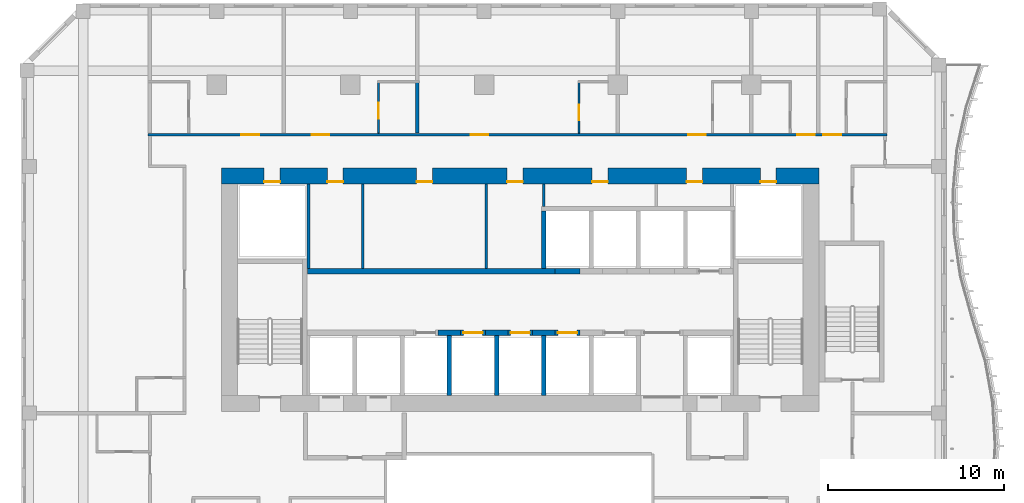
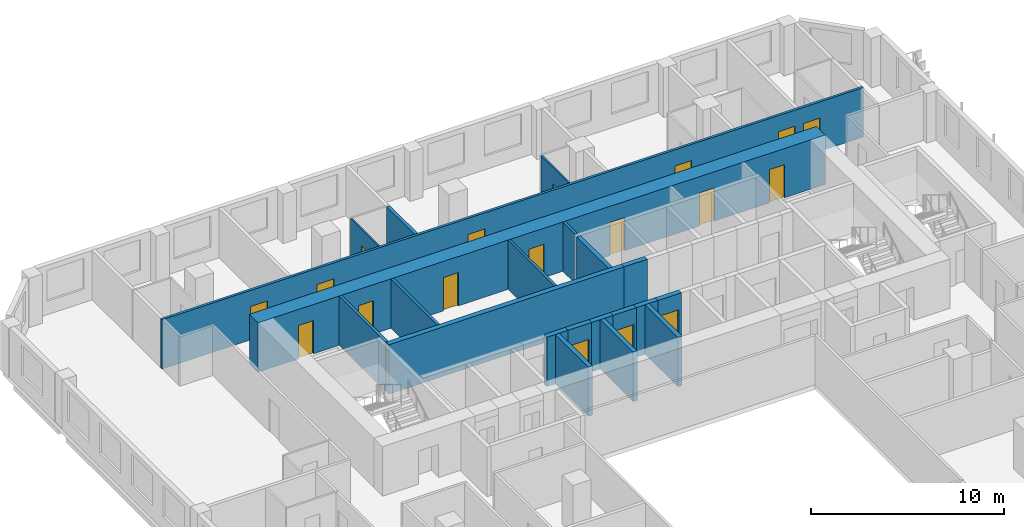
# One storey, part 7 of 22: 21 walls, 18 doors, 18 openings.
"""IFC4 building model written with IfcOpenShell, lengths in metres."""

from ifc_helpers import new_model, si_unit, direction, frame, frame_2d, origin, place, context, subcontext, project, spatial, rectangle, extrude, source, transform, mapped, material, layer, layer_set, type_object, element, fill, save


model = new_model("IFC4")

# Units and contexts
model_context = context("Model", 3, precision=1e-05, world=origin(), true_north=direction((0.0, 1.0)))
body_context = subcontext(model_context, "Body", "Model", "MODEL_VIEW")
ifc_project = project(units=[si_unit("LENGTHUNIT", "METRE"), si_unit("AREAUNIT", "SQUARE_METRE"), si_unit("VOLUMEUNIT", "CUBIC_METRE"), si_unit("PLANEANGLEUNIT", "RADIAN"), si_unit("MASSUNIT", "GRAM", prefix="KILO")], contexts=[model_context])

# Site, building, storey
site_placement = place(None, origin())
site = spatial("IfcSite", under=ifc_project, at=site_placement, CompositionType="ELEMENT")
building_placement = place(site_placement, origin())
building = spatial("IfcBuilding", under=site, at=building_placement, Name="Kilnfold Tower and Market Hall", CompositionType="ELEMENT")
storey_placement = place(building_placement, frame((0.0, 0.0, 154.10009765625)))
storey = spatial("IfcBuildingStorey", under=building, at=storey_placement, Name="L35", CompositionType="ELEMENT", Elevation=154.10009765625)

# Wall, openings, doors
ifc_material_1 = material(Name="Gypsum board on steel studs", Category="steel")
ifc_layer_1 = layer(ifc_material_1, 0.14990234375)
ifc_layer_set_1 = layer_set([ifc_layer_1], Name="Gypsum board on steel studs")
wall_type_1 = type_object("IfcWallType", Name="WALL CORRIDOR 150", PredefinedType="PARTITIONING", material=ifc_layer_set_1)
wall_1_placement = place(storey_placement, frame((-20.05908203125, 23.800048828125, 0.0), z_axis=(0.0, 0.0, 1.0), x_axis=(1.0, 0.0, 0.0)))
wall_1 = element("IfcWall", 1, at=wall_1_placement, inside=storey, type_object=wall_type_1, Name="Partition LY23.21", PredefinedType="PARTITIONING", context=body_context, shape_type="SweptSolid", body=[
    extrude(rectangle(XDim=41.9091796875, YDim=0.14990234375, at=frame_2d((20.95458984375, 0.0))), origin(), (0.0, 0.0, 1.0), 3.119873046875),
])
opening_1_placement = place(wall_1_placement, frame((5.29296875, 0.0, 0.0)))
opening_1 = element("IfcOpeningElement", 2, at=opening_1_placement, cuts=wall_1, Name="Opening D1", PredefinedType="OPENING", context=body_context, shape_type="SweptSolid", body=[
    extrude(rectangle(XDim=1.0, YDim=2.10009765625, at=frame_2d((0.5, 1.050048828125))), frame((0.0, 0.0849609375, 0.0), z_axis=(0.0, -1.0, 0.0), x_axis=(1.0, 0.0, 0.0)), (0.0, 0.0, 1.0), 0.169921875),
])
opening_2_placement = place(wall_1_placement, frame((9.27490234375, 0.0, 0.0)))
opening_2 = element("IfcOpeningElement", 3, at=opening_2_placement, cuts=wall_1, Name="Opening D1", PredefinedType="OPENING", context=body_context, shape_type="SweptSolid", body=[
    extrude(rectangle(XDim=1.0, YDim=2.10009765625, at=frame_2d((0.5, 1.050048828125))), frame((0.0, 0.0849609375, 0.0), z_axis=(0.0, -1.0, 0.0), x_axis=(1.0, 0.0, 0.0)), (0.0, 0.0, 1.0), 0.169921875),
])
opening_3_placement = place(wall_1_placement, frame((18.2919921875, 0.0, 0.0)))
opening_3 = element("IfcOpeningElement", 4, at=opening_3_placement, cuts=wall_1, Name="Opening D1", PredefinedType="OPENING", context=body_context, shape_type="SweptSolid", body=[
    extrude(rectangle(XDim=1.0, YDim=2.10009765625, at=frame_2d((0.5, 1.050048828125))), frame((0.0, 0.0849609375, 0.0), z_axis=(0.0, -1.0, 0.0), x_axis=(1.0, 0.0, 0.0)), (0.0, 0.0, 1.0), 0.169921875),
])
opening_4_placement = place(wall_1_placement, frame((30.635986328125, 0.0, 0.0)))
opening_4 = element("IfcOpeningElement", 5, at=opening_4_placement, cuts=wall_1, Name="Opening D1", PredefinedType="OPENING", context=body_context, shape_type="SweptSolid", body=[
    extrude(rectangle(XDim=1.0, YDim=2.10009765625, at=frame_2d((0.5, 1.050048828125))), frame((0.0, 0.0849609375, 0.0), z_axis=(0.0, -1.0, 0.0), x_axis=(1.0, 0.0, 0.0)), (0.0, 0.0, 1.0), 0.169921875),
])
opening_5_placement = place(wall_1_placement, frame((36.827880859375, 0.0, 0.0)))
opening_5 = element("IfcOpeningElement", 6, at=opening_5_placement, cuts=wall_1, Name="Opening D1", PredefinedType="OPENING", context=body_context, shape_type="SweptSolid", body=[
    extrude(rectangle(XDim=1.0, YDim=2.10009765625, at=frame_2d((0.5, 1.050048828125))), frame((0.0, 0.0849609375, 0.0), z_axis=(0.0, -1.0, 0.0), x_axis=(1.0, 0.0, 0.0)), (0.0, 0.0, 1.0), 0.169921875),
])
opening_6_placement = place(wall_1_placement, frame((38.31396484375, 0.0, 0.0)))
opening_6 = element("IfcOpeningElement", 7, at=opening_6_placement, cuts=wall_1, Name="Opening D1", PredefinedType="OPENING", context=body_context, shape_type="SweptSolid", body=[
    extrude(rectangle(XDim=1.0, YDim=2.10009765625, at=frame_2d((0.5, 1.050048828125))), frame((0.0, 0.0849609375, 0.0), z_axis=(0.0, -1.0, 0.0), x_axis=(1.0, 0.0, 0.0)), (0.0, 0.0, 1.0), 0.169921875),
])
ifc_material_2 = material(Name="Timber veneer door leaf in steel frame", Category="steel")
door_type_1 = type_object("IfcDoorType", Name="DOOR ENTRY 1000 X2100", OperationType="NOTDEFINED", PredefinedType="DOOR", material=ifc_material_2)
door_1_placement = place(opening_1_placement, origin())
door_1 = element("IfcDoor", 8, at=door_1_placement, inside=storey, type_object=door_type_1, Name="Door D1", OperationType="SINGLE_SWING_LEFT", OverallHeight=2.10009765625, OverallWidth=1.0, PredefinedType="DOOR", context=body_context, shape_type="SweptSolid", body=[
    extrude(rectangle(XDim=1.0, YDim=2.10009765625, at=frame_2d((0.5, 1.050048828125))), frame((0.0, 0.02490234375, 0.0), z_axis=(0.0, -1.0, 0.0), x_axis=(1.0, 0.0, 0.0)), (0.0, 0.0, 1.0), 0.050048828125),
])
fill(opening_1, door_1)
door_2_placement = place(opening_2_placement, origin())
door_2 = element("IfcDoor", 9, at=door_2_placement, inside=storey, type_object=door_type_1, Name="Door D1", OperationType="SINGLE_SWING_LEFT", OverallHeight=2.10009765625, OverallWidth=1.0, PredefinedType="DOOR", context=body_context, shape_type="SweptSolid", body=[
    extrude(rectangle(XDim=1.0, YDim=2.10009765625, at=frame_2d((0.5, 1.050048828125))), frame((0.0, 0.02490234375, 0.0), z_axis=(0.0, -1.0, 0.0), x_axis=(1.0, 0.0, 0.0)), (0.0, 0.0, 1.0), 0.050048828125),
])
fill(opening_2, door_2)
door_3_placement = place(opening_3_placement, origin())
door_3 = element("IfcDoor", 10, at=door_3_placement, inside=storey, type_object=door_type_1, Name="Door D1", OperationType="SINGLE_SWING_RIGHT", OverallHeight=2.10009765625, OverallWidth=1.0, PredefinedType="DOOR", context=body_context, shape_type="SweptSolid", body=[
    extrude(rectangle(XDim=1.0, YDim=2.10009765625, at=frame_2d((0.5, 1.050048828125))), frame((0.0, 0.02490234375, 0.0), z_axis=(0.0, -1.0, 0.0), x_axis=(1.0, 0.0, 0.0)), (0.0, 0.0, 1.0), 0.050048828125),
])
fill(opening_3, door_3)
door_4_placement = place(opening_4_placement, origin())
door_4 = element("IfcDoor", 11, at=door_4_placement, inside=storey, type_object=door_type_1, Name="Door D1", OperationType="SINGLE_SWING_LEFT", OverallHeight=2.10009765625, OverallWidth=1.0, PredefinedType="DOOR", context=body_context, shape_type="SweptSolid", body=[
    extrude(rectangle(XDim=1.0, YDim=2.10009765625, at=frame_2d((0.5, 1.050048828125))), frame((0.0, 0.02490234375, 0.0), z_axis=(0.0, -1.0, 0.0), x_axis=(1.0, 0.0, 0.0)), (0.0, 0.0, 1.0), 0.050048828125),
])
fill(opening_4, door_4)
door_5_placement = place(opening_5_placement, origin())
door_5 = element("IfcDoor", 12, at=door_5_placement, inside=storey, type_object=door_type_1, Name="Door D1", OperationType="SINGLE_SWING_LEFT", OverallHeight=2.10009765625, OverallWidth=1.0, PredefinedType="DOOR", context=body_context, shape_type="SweptSolid", body=[
    extrude(rectangle(XDim=1.0, YDim=2.10009765625, at=frame_2d((0.5, 1.050048828125))), frame((0.0, 0.02490234375, 0.0), z_axis=(0.0, -1.0, 0.0), x_axis=(1.0, 0.0, 0.0)), (0.0, 0.0, 1.0), 0.050048828125),
])
fill(opening_5, door_5)
door_6_placement = place(opening_6_placement, origin())
door_6 = element("IfcDoor", 13, at=door_6_placement, inside=storey, type_object=door_type_1, Name="Door D1", OperationType="SINGLE_SWING_RIGHT", OverallHeight=2.10009765625, OverallWidth=1.0, PredefinedType="DOOR", context=body_context, shape_type="SweptSolid", body=[
    extrude(rectangle(XDim=1.0, YDim=2.10009765625, at=frame_2d((0.5, 1.050048828125))), frame((0.0, 0.02490234375, 0.0), z_axis=(0.0, -1.0, 0.0), x_axis=(1.0, 0.0, 0.0)), (0.0, 0.0, 1.0), 0.050048828125),
])
fill(opening_6, door_6)

# Wall, opening, door
ifc_material_3 = material(Name="Gypsum board on steel studs", Category="steel")
ifc_layer_2 = layer(ifc_material_3, 0.10009765625)
ifc_layer_set_2 = layer_set([ifc_layer_2], Name="Gypsum board on steel studs")
wall_type_2 = type_object("IfcWallType", Name="WALL PARTITION 100", PredefinedType="PARTITIONING", material=ifc_layer_set_2)
wall_2_placement = place(storey_placement, frame((-6.991943359375, 23.876953125, 0.0), z_axis=(0.0, 0.0, 1.0), x_axis=(0.0, 1.0, 0.0)))
wall_2 = element("IfcWall", 14, at=wall_2_placement, inside=storey, type_object=wall_type_2, Name="Partition LY23.79", PredefinedType="PARTITIONING", context=body_context, shape_type="SweptSolid", body=[
    extrude(rectangle(XDim=2.875, YDim=0.10009765625, at=frame_2d((1.4375, 0.0))), origin(), (0.0, 0.0, 1.0), 3.119873046875),
])
opening_7_placement = place(wall_2_placement, frame((0.830078125, 0.0, 0.0)))
opening_7 = element("IfcOpeningElement", 15, at=opening_7_placement, cuts=wall_2, Name="Opening D3", PredefinedType="OPENING", context=body_context, shape_type="SweptSolid", body=[
    extrude(rectangle(XDim=0.89990234375, YDim=2.10009765625, at=frame_2d((0.449951171875, 1.050048828125))), frame((0.0, 0.06005859375, 0.0), z_axis=(0.0, -1.0, 0.0), x_axis=(1.0, 0.0, 0.0)), (0.0, 0.0, 1.0), 0.1201171875),
])
ifc_material_4 = material(Name="Timber veneer door leaf in steel frame", Category="steel")
door_type_2 = type_object("IfcDoorType", Name="DOOR WC 900 X2100", OperationType="NOTDEFINED", PredefinedType="DOOR", material=ifc_material_4)
door_7_placement = place(opening_7_placement, origin())
door_7 = element("IfcDoor", 16, at=door_7_placement, inside=storey, type_object=door_type_2, Name="Door D3", OperationType="SINGLE_SWING_LEFT", OverallHeight=2.10009765625, OverallWidth=0.89990234375, PredefinedType="DOOR", context=body_context, shape_type="SweptSolid", body=[
    extrude(rectangle(XDim=0.89990234375, YDim=2.10009765625, at=frame_2d((0.449951171875, 1.050048828125))), frame((0.0, 0.02490234375, 0.0), z_axis=(0.0, -1.0, 0.0), x_axis=(1.0, 0.0, 0.0)), (0.0, 0.0, 1.0), 0.050048828125),
])
fill(opening_7, door_7)

wall_3_placement = place(storey_placement, frame((4.383056640625, 23.876953125, 0.0), z_axis=(0.0, 0.0, 1.0), x_axis=(0.0, 1.0, 0.0)))
wall_3 = element("IfcWall", 17, at=wall_3_placement, inside=storey, type_object=wall_type_2, Name="Partition LY23.83", PredefinedType="PARTITIONING", context=body_context, shape_type="SweptSolid", body=[
    extrude(rectangle(XDim=2.875, YDim=0.10009765625, at=frame_2d((1.4375, 0.0))), origin(), (0.0, 0.0, 1.0), 3.119873046875),
])
opening_8_placement = place(wall_3_placement, frame((0.72509765625, 0.0, 0.0)))
opening_8 = element("IfcOpeningElement", 18, at=opening_8_placement, cuts=wall_3, Name="Opening D3", PredefinedType="OPENING", context=body_context, shape_type="SweptSolid", body=[
    extrude(rectangle(XDim=0.89990234375, YDim=2.10009765625, at=frame_2d((0.449951171875, 1.050048828125))), frame((0.0, 0.06005859375, 0.0), z_axis=(0.0, -1.0, 0.0), x_axis=(1.0, 0.0, 0.0)), (0.0, 0.0, 1.0), 0.1201171875),
])
door_8_placement = place(opening_8_placement, origin())
door_8 = element("IfcDoor", 19, at=door_8_placement, inside=storey, type_object=door_type_2, Name="Door D3", OperationType="SINGLE_SWING_RIGHT", OverallHeight=2.10009765625, OverallWidth=0.89990234375, PredefinedType="DOOR", context=body_context, shape_type="SweptSolid", body=[
    extrude(rectangle(XDim=0.89990234375, YDim=2.10009765625, at=frame_2d((0.449951171875, 1.050048828125))), frame((0.0, 0.02490234375, 0.0), z_axis=(0.0, -1.0, 0.0), x_axis=(1.0, 0.0, 0.0)), (0.0, 0.0, 1.0), 0.050048828125),
])
fill(opening_8, door_8)

# Wall
ifc_material_5 = material(Name="Gypsum board on steel studs", Category="steel")
ifc_layer_3 = layer(ifc_material_5, 0.199951171875)
ifc_layer_set_3 = layer_set([ifc_layer_3], Name="Gypsum board on steel studs")
wall_type_3 = type_object("IfcWallType", Name="WALL PARTY 200", PredefinedType="PARTITIONING", material=ifc_layer_set_3)
wall_4_placement = place(storey_placement, frame((-4.7919921875, 23.876953125, 0.0), z_axis=(0.0, 0.0, 1.0), x_axis=(0.0, 1.0, 0.0)))
element("IfcWall", 20, at=wall_4_placement, inside=storey, type_object=wall_type_3, Name="Partition LY23.81", PredefinedType="PARTITIONING", context=body_context, shape_type="SweptSolid", body=[
    extrude(rectangle(XDim=2.875, YDim=0.199951171875, at=frame_2d((1.4375, 0.0))), origin(), (0.0, 0.0, 1.0), 3.119873046875),
])

# Wall, openings, doors
ifc_material_6 = material(Name="Concrete C70", Category="concrete")
ifc_layer_4 = layer(ifc_material_6, 0.89990234375)
ifc_layer_set_4 = layer_set([ifc_layer_4], Name="Concrete C70")
wall_type_4 = type_object("IfcWallType", Name="CORE WALL 900 C70", PredefinedType="SHEAR", material=ifc_layer_set_4)
shared_shape_1 = source(origin(), body_context, "Body", "SweptSolid", [
    extrude(rectangle(XDim=33.89990234375, YDim=0.89990234375, at=frame_2d((16.949951171875, 0.0))), origin(), (0.0, 0.0, 1.0), 3.119873046875),
])
wall_5_placement = place(storey_placement, frame((-15.89990234375, 21.449951171875, 0.0), z_axis=(0.0, 0.0, 1.0), x_axis=(1.0, 0.0, 0.0)))
wall_5 = element("IfcWall", 21, at=wall_5_placement, inside=storey, type_object=wall_type_4, Name="Core outer wall north", PredefinedType="SHEAR", context=body_context, shape_type="MappedRepresentation", body=[
    mapped(shared_shape_1, transform((0.0, 0.0, 0.0))),
])
opening_9_placement = place(wall_5_placement, frame((6.0078125, 0.0, 0.0)))
opening_9 = element("IfcOpeningElement", 22, at=opening_9_placement, cuts=wall_5, Name="Opening KD1", PredefinedType="OPENING", context=body_context, shape_type="SweptSolid", body=[
    extrude(rectangle(XDim=0.89990234375, YDim=2.10009765625, at=frame_2d((0.449951171875, 1.050048828125))), frame((0.0, 0.4599609375, 0.0), z_axis=(0.0, -1.0, 0.0), x_axis=(1.0, 0.0, 0.0)), (0.0, 0.0, 1.0), 0.919921875),
])
opening_10_placement = place(wall_5_placement, frame((11.072998046875, 0.0, 0.0)))
opening_10 = element("IfcOpeningElement", 23, at=opening_10_placement, cuts=wall_5, Name="Opening KD1", PredefinedType="OPENING", context=body_context, shape_type="SweptSolid", body=[
    extrude(rectangle(XDim=0.89990234375, YDim=2.10009765625, at=frame_2d((0.449951171875, 1.050048828125))), frame((0.0, 0.4599609375, 0.0), z_axis=(0.0, -1.0, 0.0), x_axis=(1.0, 0.0, 0.0)), (0.0, 0.0, 1.0), 0.919921875),
])
opening_11_placement = place(wall_5_placement, frame((16.205078125, 0.0, 0.0)))
opening_11 = element("IfcOpeningElement", 24, at=opening_11_placement, cuts=wall_5, Name="Opening KD1", PredefinedType="OPENING", context=body_context, shape_type="SweptSolid", body=[
    extrude(rectangle(XDim=0.89990234375, YDim=2.10009765625, at=frame_2d((0.449951171875, 1.050048828125))), frame((0.0, 0.4599609375, 0.0), z_axis=(0.0, -1.0, 0.0), x_axis=(1.0, 0.0, 0.0)), (0.0, 0.0, 1.0), 0.919921875),
])
opening_12_placement = place(wall_5_placement, frame((21.029296875, 0.0, 0.0)))
opening_12 = element("IfcOpeningElement", 25, at=opening_12_placement, cuts=wall_5, Name="Opening KD1", PredefinedType="OPENING", context=body_context, shape_type="SweptSolid", body=[
    extrude(rectangle(XDim=0.89990234375, YDim=2.10009765625, at=frame_2d((0.449951171875, 1.050048828125))), frame((0.0, 0.4599609375, 0.0), z_axis=(0.0, -1.0, 0.0), x_axis=(1.0, 0.0, 0.0)), (0.0, 0.0, 1.0), 0.919921875),
])
opening_13_placement = place(wall_5_placement, frame((26.38916015625, 0.0, 0.0)))
opening_13 = element("IfcOpeningElement", 26, at=opening_13_placement, cuts=wall_5, Name="Opening KD1", PredefinedType="OPENING", context=body_context, shape_type="SweptSolid", body=[
    extrude(rectangle(XDim=0.89990234375, YDim=2.10009765625, at=frame_2d((0.449951171875, 1.050048828125))), frame((0.0, 0.4599609375, 0.0), z_axis=(0.0, -1.0, 0.0), x_axis=(1.0, 0.0, 0.0)), (0.0, 0.0, 1.0), 0.919921875),
])
opening_14_placement = place(wall_5_placement, frame((2.425048828125, 0.0, 0.0)))
opening_14 = element("IfcOpeningElement", 27, at=opening_14_placement, cuts=wall_5, Name="Opening KD1", PredefinedType="OPENING", context=body_context, shape_type="SweptSolid", body=[
    extrude(rectangle(XDim=0.89990234375, YDim=2.10009765625, at=frame_2d((0.449951171875, 1.050048828125))), frame((0.0, 0.4599609375, 0.0), z_axis=(0.0, -1.0, 0.0), x_axis=(1.0, 0.0, 0.0)), (0.0, 0.0, 1.0), 0.919921875),
])
opening_15_placement = place(wall_5_placement, frame((30.574951171875, 0.0, 0.0)))
opening_15 = element("IfcOpeningElement", 28, at=opening_15_placement, cuts=wall_5, Name="Opening KD1", PredefinedType="OPENING", context=body_context, shape_type="SweptSolid", body=[
    extrude(rectangle(XDim=0.89990234375, YDim=2.10009765625, at=frame_2d((0.449951171875, 1.050048828125))), frame((0.0, 0.4599609375, 0.0), z_axis=(0.0, -1.0, 0.0), x_axis=(1.0, 0.0, 0.0)), (0.0, 0.0, 1.0), 0.919921875),
])
ifc_material_7 = material(Name="Steel door set with fire-resisting leaf", Category="steel")
door_type_3 = type_object("IfcDoorType", Name="SERVICE DOOR 900X2100", OperationType="NOTDEFINED", PredefinedType="DOOR", material=ifc_material_7)
door_9_placement = place(opening_9_placement, origin())
door_9 = element("IfcDoor", 29, at=door_9_placement, inside=storey, type_object=door_type_3, Name="Core service door", OperationType="SINGLE_SWING_RIGHT", OverallHeight=2.10009765625, OverallWidth=0.89990234375, PredefinedType="DOOR", context=body_context, shape_type="SweptSolid", body=[
    extrude(rectangle(XDim=0.89990234375, YDim=2.10009765625, at=frame_2d((0.449951171875, 1.050048828125))), frame((0.0, -0.30517578125, 0.0), z_axis=(0.0, -1.0, 0.0), x_axis=(1.0, 0.0, 0.0)), (0.0, 0.0, 1.0), 0.050048828125),
])
fill(opening_9, door_9)
door_10_placement = place(opening_10_placement, origin())
door_10 = element("IfcDoor", 30, at=door_10_placement, inside=storey, type_object=door_type_3, Name="Core service door", OperationType="SINGLE_SWING_LEFT", OverallHeight=2.10009765625, OverallWidth=0.89990234375, PredefinedType="DOOR", context=body_context, shape_type="SweptSolid", body=[
    extrude(rectangle(XDim=0.89990234375, YDim=2.10009765625, at=frame_2d((0.449951171875, 1.050048828125))), frame((0.0, -0.30517578125, 0.0), z_axis=(0.0, -1.0, 0.0), x_axis=(1.0, 0.0, 0.0)), (0.0, 0.0, 1.0), 0.050048828125),
])
fill(opening_10, door_10)
door_11_placement = place(opening_11_placement, origin())
door_11 = element("IfcDoor", 31, at=door_11_placement, inside=storey, type_object=door_type_3, Name="Core service door", OperationType="SINGLE_SWING_RIGHT", OverallHeight=2.10009765625, OverallWidth=0.89990234375, PredefinedType="DOOR", context=body_context, shape_type="SweptSolid", body=[
    extrude(rectangle(XDim=0.89990234375, YDim=2.10009765625, at=frame_2d((0.449951171875, 1.050048828125))), frame((0.0, -0.30517578125, 0.0), z_axis=(0.0, -1.0, 0.0), x_axis=(1.0, 0.0, 0.0)), (0.0, 0.0, 1.0), 0.050048828125),
])
fill(opening_11, door_11)
door_12_placement = place(opening_12_placement, origin())
door_12 = element("IfcDoor", 32, at=door_12_placement, inside=storey, type_object=door_type_3, Name="Core service door", OperationType="SINGLE_SWING_LEFT", OverallHeight=2.10009765625, OverallWidth=0.89990234375, PredefinedType="DOOR", context=body_context, shape_type="SweptSolid", body=[
    extrude(rectangle(XDim=0.89990234375, YDim=2.10009765625, at=frame_2d((0.449951171875, 1.050048828125))), frame((0.0, -0.30517578125, 0.0), z_axis=(0.0, -1.0, 0.0), x_axis=(1.0, 0.0, 0.0)), (0.0, 0.0, 1.0), 0.050048828125),
])
fill(opening_12, door_12)
door_13_placement = place(opening_13_placement, origin())
door_13 = element("IfcDoor", 33, at=door_13_placement, inside=storey, type_object=door_type_3, Name="Core service door", OperationType="SINGLE_SWING_RIGHT", OverallHeight=2.10009765625, OverallWidth=0.89990234375, PredefinedType="DOOR", context=body_context, shape_type="SweptSolid", body=[
    extrude(rectangle(XDim=0.89990234375, YDim=2.10009765625, at=frame_2d((0.449951171875, 1.050048828125))), frame((0.0, -0.30517578125, 0.0), z_axis=(0.0, -1.0, 0.0), x_axis=(1.0, 0.0, 0.0)), (0.0, 0.0, 1.0), 0.050048828125),
])
fill(opening_13, door_13)
door_14_placement = place(opening_14_placement, origin())
door_14 = element("IfcDoor", 34, at=door_14_placement, inside=storey, type_object=door_type_3, Name="Electrical riser access door", OperationType="SINGLE_SWING_LEFT", OverallHeight=2.10009765625, OverallWidth=0.89990234375, PredefinedType="DOOR", context=body_context, shape_type="SweptSolid", body=[
    extrude(rectangle(XDim=0.89990234375, YDim=2.10009765625, at=frame_2d((0.449951171875, 1.050048828125))), frame((0.0, -0.30517578125, 0.0), z_axis=(0.0, -1.0, 0.0), x_axis=(1.0, 0.0, 0.0)), (0.0, 0.0, 1.0), 0.050048828125),
])
fill(opening_14, door_14)
door_15_placement = place(opening_15_placement, origin())
door_15 = element("IfcDoor", 35, at=door_15_placement, inside=storey, type_object=door_type_3, Name="Mechanical riser access door", OperationType="SINGLE_SWING_RIGHT", OverallHeight=2.10009765625, OverallWidth=0.89990234375, PredefinedType="DOOR", context=body_context, shape_type="SweptSolid", body=[
    extrude(rectangle(XDim=0.89990234375, YDim=2.10009765625, at=frame_2d((0.449951171875, 1.050048828125))), frame((0.0, -0.30517578125, 0.0), z_axis=(0.0, -1.0, 0.0), x_axis=(1.0, 0.0, 0.0)), (0.0, 0.0, 1.0), 0.050048828125),
])
fill(opening_15, door_15)

# Walls
ifc_material_8 = material(Name="Concrete C70", Category="concrete")
ifc_layer_5 = layer(ifc_material_8, 0.300048828125)
ifc_layer_set_5 = layer_set([ifc_layer_5], Name="Concrete C70")
wall_type_5 = type_object("IfcWallType", Name="CORE WALL 300 C70", PredefinedType="SHEAR", material=ifc_layer_set_5)
shared_shape_2 = source(origin(), body_context, "Body", "SweptSolid", [
    extrude(rectangle(XDim=1.280029296875, YDim=0.300048828125, at=frame_2d((0.64013671875, 0.0))), origin(), (0.0, 0.0, 1.0), 3.119873046875),
])
for number, where, z_axis, x_axis, name in (
    (36, (-3.610107421875, 12.550048828125, 0.0), (0.0, 0.0, 1.0), (1.0, 0.0, 0.0), "Core spine wall"),
    (37, (-0.929931640625, 12.550048828125, 0.0), (0.0, 0.0, 1.0), (1.0, 0.0, 0.0), "Core spine wall"),
    (38, (1.75, 12.550048828125, 0.0), (0.0, 0.0, 1.0), (1.0, 0.0, 0.0), "Core spine wall"),
):
    element("IfcWall", number, at=place(storey_placement, frame(where, z_axis=z_axis, x_axis=x_axis)), inside=storey, type_object=wall_type_5, Name=name, PredefinedType="SHEAR", context=body_context, shape_type="MappedRepresentation", body=[
        mapped(shared_shape_2, transform((0.0, 0.0, 0.0))),
    ])
shared_shape_3 = source(origin(), body_context, "Body", "SweptSolid", [
    extrude(rectangle(XDim=14.0400390625, YDim=0.300048828125, at=frame_2d((7.02001953125, 0.0))), origin(), (0.0, 0.0, 1.0), 3.119873046875),
])
wall_6_placement = place(storey_placement, frame((-11.010009765625, 16.050048828125, 0.0), z_axis=(0.0, 0.0, 1.0), x_axis=(1.0, 0.0, 0.0)))
element("IfcWall", 39, at=wall_6_placement, inside=storey, type_object=wall_type_5, Name="Core spine wall", PredefinedType="SHEAR", context=body_context, shape_type="MappedRepresentation", body=[
    mapped(shared_shape_3, transform((0.0, 0.0, 0.0))),
])

# Wall, opening, door
ifc_material_9 = material(Name="Gypsum shaft wall system")
ifc_layer_6 = layer(ifc_material_9, 0.300048828125)
ifc_layer_set_6 = layer_set([ifc_layer_6], Name="Gypsum shaft wall system")
wall_type_6 = type_object("IfcWallType", Name="SHAFT WALL 300", PredefinedType="PARTITIONING", material=ifc_layer_set_6)
shared_shape_4 = source(origin(), body_context, "Body", "SweptSolid", [
    extrude(rectangle(XDim=1.39990234375, YDim=0.300048828125, at=frame_2d((0.699951171875, 0.0))), origin(), (0.0, 0.0, 1.0), 3.119873046875),
])
wall_7_placement = place(storey_placement, frame((0.35009765625, 12.550048828125, 0.0), z_axis=(0.0, 0.0, 1.0), x_axis=(1.0, 0.0, 0.0)))
wall_7 = element("IfcWall", 40, at=wall_7_placement, inside=storey, type_object=wall_type_6, Name="Lift shaft front wall", PredefinedType="PARTITIONING", context=body_context, shape_type="MappedRepresentation", body=[
    mapped(shared_shape_4, transform((0.0, 0.0, 0.0))),
])
opening_16_placement = place(wall_7_placement, frame((0.14990234375, 0.0, 0.0)))
opening_16 = element("IfcOpeningElement", 41, at=opening_16_placement, cuts=wall_7, Name="Opening LD2", PredefinedType="OPENING", context=body_context, shape_type="SweptSolid", body=[
    extrude(rectangle(XDim=1.10009765625, YDim=2.10009765625, at=frame_2d((0.550048828125, 1.050048828125))), frame((0.0, 0.16015625, 0.0), z_axis=(0.0, -1.0, 0.0), x_axis=(1.0, 0.0, 0.0)), (0.0, 0.0, 1.0), 0.320068359375),
])
ifc_material_10 = material(Name="Steel door set with fire-resisting leaf", Category="steel")
door_type_4 = type_object("IfcDoorType", Name="LANDING DOOR 1100X2100", OperationType="NOTDEFINED", PredefinedType="DOOR", material=ifc_material_10)
door_16_placement = place(opening_16_placement, origin())
door_16 = element("IfcDoor", 42, at=door_16_placement, inside=storey, type_object=door_type_4, Name="Landing door MR3", OperationType="DOUBLE_DOOR_SLIDING", OverallHeight=2.10009765625, OverallWidth=1.10009765625, PredefinedType="DOOR", context=body_context, shape_type="SweptSolid", body=[
    extrude(rectangle(XDim=1.10009765625, YDim=2.10009765625, at=frame_2d((0.550048828125, 1.050048828125))), frame((0.0, 0.02490234375, 0.0), z_axis=(0.0, -1.0, 0.0), x_axis=(1.0, 0.0, 0.0)), (0.0, 0.0, 1.0), 0.050048828125),
])
fill(opening_16, door_16)

wall_8_placement = place(storey_placement, frame((3.030029296875, 12.550048828125, 0.0), z_axis=(0.0, 0.0, 1.0), x_axis=(1.0, 0.0, 0.0)))
wall_8 = element("IfcWall", 43, at=wall_8_placement, inside=storey, type_object=wall_type_6, Name="Lift shaft front wall", PredefinedType="PARTITIONING", context=body_context, shape_type="MappedRepresentation", body=[
    mapped(shared_shape_4, transform((0.0, 0.0, 0.0))),
])
opening_17_placement = place(wall_8_placement, frame((0.14990234375, 0.0, 0.0)))
opening_17 = element("IfcOpeningElement", 44, at=opening_17_placement, cuts=wall_8, Name="Opening LD2", PredefinedType="OPENING", context=body_context, shape_type="SweptSolid", body=[
    extrude(rectangle(XDim=1.10009765625, YDim=2.10009765625, at=frame_2d((0.550048828125, 1.050048828125))), frame((0.0, 0.16015625, 0.0), z_axis=(0.0, -1.0, 0.0), x_axis=(1.0, 0.0, 0.0)), (0.0, 0.0, 1.0), 0.320068359375),
])
door_17_placement = place(opening_17_placement, origin())
door_17 = element("IfcDoor", 45, at=door_17_placement, inside=storey, type_object=door_type_4, Name="Landing door MR4", OperationType="DOUBLE_DOOR_SLIDING", OverallHeight=2.10009765625, OverallWidth=1.10009765625, PredefinedType="DOOR", context=body_context, shape_type="SweptSolid", body=[
    extrude(rectangle(XDim=1.10009765625, YDim=2.10009765625, at=frame_2d((0.550048828125, 1.050048828125))), frame((0.0, 0.02490234375, 0.0), z_axis=(0.0, -1.0, 0.0), x_axis=(1.0, 0.0, 0.0)), (0.0, 0.0, 1.0), 0.050048828125),
])
fill(opening_17, door_17)

# Wall
wall_9_placement = place(storey_placement, frame((3.030029296875, 16.050048828125, 0.0), z_axis=(0.0, 0.0, 1.0), x_axis=(1.0, 0.0, 0.0)))
element("IfcWall", 46, at=wall_9_placement, inside=storey, type_object=wall_type_6, Name="Lift shaft front wall", PredefinedType="PARTITIONING", context=body_context, shape_type="MappedRepresentation", body=[
    mapped(shared_shape_4, transform((0.0, 0.0, 0.0))),
])

# Wall, opening, door
shared_shape_5 = source(origin(), body_context, "Body", "SweptSolid", [
    extrude(rectangle(XDim=1.400146484375, YDim=0.300048828125, at=frame_2d((0.7001953125, 0.0))), origin(), (0.0, 0.0, 1.0), 3.119873046875),
])
wall_10_placement = place(storey_placement, frame((-2.330078125, 12.550048828125, 0.0), z_axis=(0.0, 0.0, 1.0), x_axis=(1.0, 0.0, 0.0)))
wall_10 = element("IfcWall", 47, at=wall_10_placement, inside=storey, type_object=wall_type_6, Name="Lift shaft front wall", PredefinedType="PARTITIONING", context=body_context, shape_type="MappedRepresentation", body=[
    mapped(shared_shape_5, transform((0.0, 0.0, 0.0))),
])
opening_18_placement = place(wall_10_placement, frame((0.14990234375, 0.0, 0.0)))
opening_18 = element("IfcOpeningElement", 48, at=opening_18_placement, cuts=wall_10, Name="Opening LD2", PredefinedType="OPENING", context=body_context, shape_type="SweptSolid", body=[
    extrude(rectangle(XDim=1.10009765625, YDim=2.10009765625, at=frame_2d((0.550048828125, 1.050048828125))), frame((0.0, 0.16015625, 0.0), z_axis=(0.0, -1.0, 0.0), x_axis=(1.0, 0.0, 0.0)), (0.0, 0.0, 1.0), 0.320068359375),
])
door_18_placement = place(opening_18_placement, origin())
door_18 = element("IfcDoor", 49, at=door_18_placement, inside=storey, type_object=door_type_4, Name="Landing door MR2", OperationType="DOUBLE_DOOR_SLIDING", OverallHeight=2.10009765625, OverallWidth=1.10009765625, PredefinedType="DOOR", context=body_context, shape_type="SweptSolid", body=[
    extrude(rectangle(XDim=1.10009765625, YDim=2.10009765625, at=frame_2d((0.550048828125, 1.050048828125))), frame((0.0, 0.02490234375, 0.0), z_axis=(0.0, -1.0, 0.0), x_axis=(1.0, 0.0, 0.0)), (0.0, 0.0, 1.0), 0.050048828125),
])
fill(opening_18, door_18)

# Walls
ifc_material_11 = material(Name="Gypsum shaft wall system")
ifc_layer_7 = layer(ifc_material_11, 0.1650390625)
ifc_layer_set_7 = layer_set([ifc_layer_7], Name="Gypsum shaft wall system")
wall_type_7 = type_object("IfcWallType", Name="SHAFT WALL 165", PredefinedType="PARTITIONING", material=ifc_layer_set_7)
shared_shape_6 = source(origin(), body_context, "Body", "SweptSolid", [
    extrude(rectangle(XDim=4.800048828125, YDim=0.1650390625, at=frame_2d((2.39990234375, 0.0))), origin(), (0.0, 0.0, 1.0), 3.119873046875),
])
wall_11_placement = place(storey_placement, frame((-10.967529296875, 16.199951171875, 0.0), z_axis=(0.0, 0.0, 1.0), x_axis=(0.0, 1.0, 0.0)))
element("IfcWall", 50, at=wall_11_placement, inside=storey, type_object=wall_type_7, Name="Lift shaft wall", PredefinedType="PARTITIONING", context=body_context, shape_type="MappedRepresentation", body=[
    mapped(shared_shape_6, transform((0.0, 0.0, 0.0))),
])
ifc_material_12 = material(Name="Gypsum shaft wall system")
ifc_layer_8 = layer(ifc_material_12, 0.25)
ifc_layer_set_8 = layer_set([ifc_layer_8], Name="Gypsum shaft wall system")
wall_type_8 = type_object("IfcWallType", Name="SHAFT WALL 250", PredefinedType="PARTITIONING", material=ifc_layer_set_8)
shared_shape_7 = source(origin(), body_context, "Body", "SweptSolid", [
    extrude(rectangle(XDim=3.275146484375, YDim=0.25, at=frame_2d((1.6376953125, 0.0))), origin(), (0.0, 0.0, 1.0), 3.119873046875),
])
wall_12_placement = place(storey_placement, frame((2.389892578125, 16.199951171875, 0.0), z_axis=(0.0, 0.0, 1.0), x_axis=(0.0, 1.0, 0.0)))
element("IfcWall", 51, at=wall_12_placement, inside=storey, type_object=wall_type_8, Name="Lift shaft wall", PredefinedType="PARTITIONING", context=body_context, shape_type="MappedRepresentation", body=[
    mapped(shared_shape_7, transform((0.0, 0.0, 0.0))),
])
shared_shape_8 = source(origin(), body_context, "Body", "SweptSolid", [
    extrude(rectangle(XDim=3.39990234375, YDim=0.25, at=frame_2d((1.699951171875, 0.0))), origin(), (0.0, 0.0, 1.0), 3.119873046875),
])
for number, where, z_axis, x_axis, name in (
    (52, (2.389892578125, 9.0, 0.0), (0.0, 0.0, 1.0), (0.0, 1.0, 0.0), "Lift shaft wall"),
    (53, (-0.2900390625, 9.0, 0.0), (0.0, 0.0, 1.0), (0.0, 1.0, 0.0), "Lift shaft wall"),
    (54, (-2.969970703125, 9.0, 0.0), (0.0, 0.0, 1.0), (0.0, 1.0, 0.0), "Lift shaft wall"),
):
    element("IfcWall", number, at=place(storey_placement, frame(where, z_axis=z_axis, x_axis=x_axis)), inside=storey, type_object=wall_type_8, Name=name, PredefinedType="PARTITIONING", context=body_context, shape_type="MappedRepresentation", body=[
        mapped(shared_shape_8, transform((0.0, 0.0, 0.0))),
    ])
ifc_material_13 = material(Name="Gypsum shaft wall system")
ifc_layer_9 = layer(ifc_material_13, 0.14990234375)
ifc_layer_set_9 = layer_set([ifc_layer_9], Name="Gypsum shaft wall system")
wall_type_9 = type_object("IfcWallType", Name="ROOM WALL 150", PredefinedType="PARTITIONING", material=ifc_layer_set_9)
shared_shape_9 = source(origin(), body_context, "Body", "SweptSolid", [
    extrude(rectangle(XDim=4.800048828125, YDim=0.14990234375, at=frame_2d((2.39990234375, 0.0))), origin(), (0.0, 0.0, 1.0), 3.119873046875),
])
for number, where, z_axis, x_axis, name in (
    (55, (-7.87451171875, 16.199951171875, 0.0), (0.0, 0.0, 1.0), (0.0, 1.0, 0.0), "Core room wall"),
    (56, (-0.879638671875, 16.199951171875, 0.0), (0.0, 0.0, 1.0), (0.0, 1.0, 0.0), "Core room wall"),
):
    element("IfcWall", number, at=place(storey_placement, frame(where, z_axis=z_axis, x_axis=x_axis)), inside=storey, type_object=wall_type_9, Name=name, PredefinedType="PARTITIONING", context=body_context, shape_type="MappedRepresentation", body=[
        mapped(shared_shape_9, transform((0.0, 0.0, 0.0))),
    ])
shared_shape_10 = source(origin(), body_context, "Body", "SweptSolid", [
    extrude(rectangle(XDim=1.27490234375, YDim=0.14990234375, at=frame_2d((0.637451171875, 0.0))), origin(), (0.0, 0.0, 1.0), 3.119873046875),
])
wall_13_placement = place(storey_placement, frame((2.389892578125, 19.72509765625, 0.0), z_axis=(0.0, 0.0, 1.0), x_axis=(0.0, 1.0, 0.0)))
element("IfcWall", 57, at=wall_13_placement, inside=storey, type_object=wall_type_9, Name="Core room wall", PredefinedType="PARTITIONING", context=body_context, shape_type="MappedRepresentation", body=[
    mapped(shared_shape_10, transform((0.0, 0.0, 0.0))),
])

save(model, "model.ifc")
